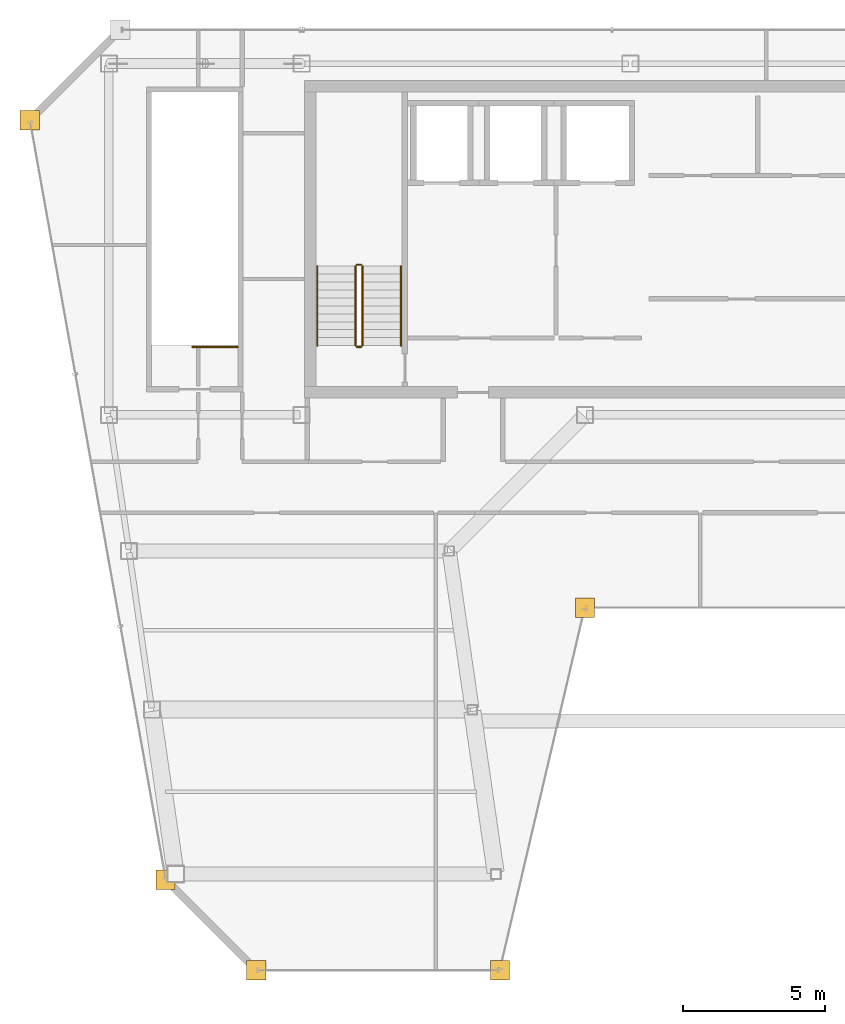
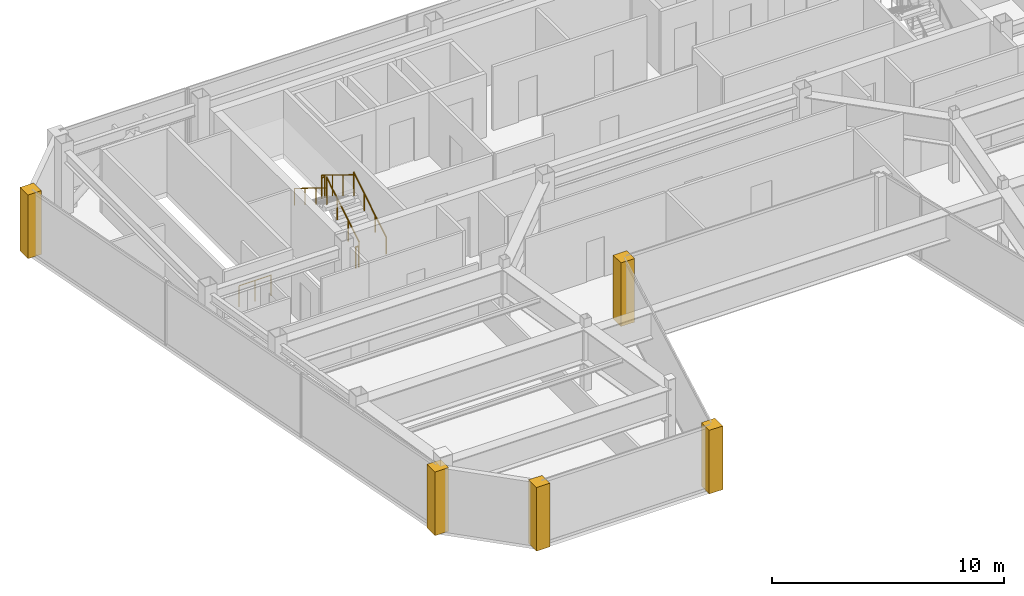
# One storey, part 28 of 30: 7 railings, 5 coverings.
"""IFC4 building model written with IfcOpenShell, lengths in metres."""

from ifc_helpers import new_model, si_unit, direction, frame, origin, origin_2d, place, context, subcontext, project, spatial, polyline, circle, outline, extrude, material, layer, layer_set, type_object, element, save


model = new_model("IFC4")

# Units and contexts
model_context = context("Model", 3, precision=1e-05, world=origin(), true_north=direction((0.0, 1.0)))
body_context = subcontext(model_context, "Body", "Model", "MODEL_VIEW")
ifc_project = project(units=[si_unit("LENGTHUNIT", "METRE"), si_unit("AREAUNIT", "SQUARE_METRE"), si_unit("VOLUMEUNIT", "CUBIC_METRE"), si_unit("PLANEANGLEUNIT", "RADIAN"), si_unit("MASSUNIT", "GRAM", prefix="KILO")], contexts=[model_context])

# Site, building, storey
site_placement = place(None, origin())
site = spatial("IfcSite", under=ifc_project, at=site_placement, CompositionType="ELEMENT")
building_placement = place(site_placement, origin())
building = spatial("IfcBuilding", under=site, at=building_placement, Name="Saevonmaru Cultural Tower", CompositionType="ELEMENT")
storey_placement = place(building_placement, frame((0.0, 0.0, 272.39990234375)))
storey = spatial("IfcBuildingStorey", under=building, at=storey_placement, Name="L64", CompositionType="ELEMENT", Elevation=272.39990234375)

# Coverings
ifc_material_1 = material(Name="Satin Bronze Anodised Aluminium", Category="aluminium")
ifc_layer = layer(ifc_material_1, 0.679931640625, Name="Satin Bronze Anodised Aluminium")
ifc_layer_set = layer_set([ifc_layer], Name="Satin Bronze Anodised Aluminium")
covering_type = type_object("IfcCoveringType", Name="CV-CORNER-CLAD", PredefinedType="CLADDING", material=ifc_layer_set)
covering_1_placement = place(storey_placement, origin())
element("IfcCovering", 1, at=covering_1_placement, inside=storey, type_object=covering_type, Name="L64 Tower Bronze Corner Cladding Pier 1", PredefinedType="CLADDING", context=body_context, shape_type="SweptSolid", body=[
    extrude(outline(polyline([(8.4560546875, 25.659912109375), (9.135986328125, 25.659912109375), (9.135986328125, 26.340087890625), (8.4560546875, 26.340087890625), (8.4560546875, 25.659912109375)])), origin(), (0.0, 0.0, 1.0), 3.35009765625),
])
covering_2_placement = place(storey_placement, origin())
element("IfcCovering", 2, at=covering_2_placement, inside=storey, type_object=covering_type, Name="L64 Tower Bronze Corner Cladding Pier 2", PredefinedType="CLADDING", context=body_context, shape_type="SweptSolid", body=[
    extrude(outline(polyline([(11.656005859375, 22.4599609375), (12.3359375, 22.4599609375), (12.3359375, 23.139892578125), (11.656005859375, 23.139892578125), (11.656005859375, 22.4599609375)])), origin(), (0.0, 0.0, 1.0), 3.35009765625),
])
covering_3_placement = place(storey_placement, origin())
element("IfcCovering", 3, at=covering_3_placement, inside=storey, type_object=covering_type, Name="L64 Tower Bronze Corner Cladding Pier 3", PredefinedType="CLADDING", context=body_context, shape_type="SweptSolid", body=[
    extrude(outline(polyline([(20.256103515625, 22.4599609375), (20.93603515625, 22.4599609375), (20.93603515625, 23.139892578125), (20.256103515625, 23.139892578125), (20.256103515625, 22.4599609375)])), origin(), (0.0, 0.0, 1.0), 3.35009765625),
])
covering_4_placement = place(storey_placement, origin())
element("IfcCovering", 4, at=covering_4_placement, inside=storey, type_object=covering_type, Name="L64 Tower Bronze Corner Cladding Pier 4", PredefinedType="CLADDING", context=body_context, shape_type="SweptSolid", body=[
    extrude(outline(polyline([(23.256103515625, 35.260009765625), (23.93603515625, 35.260009765625), (23.93603515625, 35.93994140625), (23.256103515625, 35.93994140625), (23.256103515625, 35.260009765625)])), origin(), (0.0, 0.0, 1.0), 3.35009765625),
])
covering_5_placement = place(storey_placement, origin())
element("IfcCovering", 5, at=covering_5_placement, inside=storey, type_object=covering_type, Name="L64 Tower Bronze Corner Cladding Pier 12", PredefinedType="CLADDING", context=body_context, shape_type="SweptSolid", body=[
    extrude(outline(polyline([(3.659912109375, 52.4599609375), (4.340087890625, 52.4599609375), (4.340087890625, 53.139892578125), (3.659912109375, 53.139892578125), (3.659912109375, 52.4599609375)])), origin(), (0.0, 0.0, 1.0), 3.35009765625),
])

# Railings
ifc_material_2 = material(Name="Architectural Painted Steel", Category="steel")
railing_type_1 = type_object("IfcRailingType", Name="RL-STAIR-GUARD", PredefinedType="GUARDRAIL", material=ifc_material_2)
railing_1_placement = place(storey_placement, frame((15.75, 44.85009765625, 0.1728515625)))
element("IfcRailing", 6, at=railing_1_placement, inside=storey, type_object=railing_type_1, Name="L64 ST-1 stair guard 1", PredefinedType="GUARDRAIL", context=body_context, shape_type="SweptSolid", body=[
    extrude(circle(Radius=0.02392578125, at=origin_2d()), frame((0.0, 0.0, 1.09619140625), z_axis=(0.0, 0.851069175582, 0.525053576669), x_axis=(-1.0, 0.0, 0.0)), (0.0, 0.0, 1.0), 3.289794921875),
    extrude(circle(Radius=0.02099609375, at=origin_2d()), origin(), (0.0, 0.0, 1.0), 1.072021484375),
    extrude(circle(Radius=0.02099609375, at=origin_2d()), frame((0.0, 0.933349609375, 0.57568359375)), (0.0, 0.0, 1.0), 1.072021484375),
    extrude(circle(Radius=0.02099609375, at=origin_2d()), frame((0.0, 1.866455078125, 1.151611328125)), (0.0, 0.0, 1.0), 1.072021484375),
    extrude(circle(Radius=0.02099609375, at=origin_2d()), frame((0.0, 2.7998046875, 1.727294921875)), (0.0, 0.0, 1.0), 1.072021484375),
])
railing_2_placement = place(storey_placement, frame((15.699951171875, 47.699951171875, 1.900146484375)))
element("IfcRailing", 7, at=railing_2_placement, inside=storey, type_object=railing_type_1, Name="L64 ST-1 stair guard 2", PredefinedType="GUARDRAIL", context=body_context, shape_type="SweptSolid", body=[
    extrude(circle(Radius=0.02392578125, at=origin_2d()), frame((0.0, 0.0, 1.09619140625), z_axis=(-1.0, 0.0, 0.0), x_axis=(0.0, -1.0, 0.0)), (0.0, 0.0, 1.0), 0.14990234375),
    extrude(circle(Radius=0.02099609375, at=origin_2d()), origin(), (0.0, 0.0, 1.0), 1.072021484375),
    extrude(circle(Radius=0.02099609375, at=origin_2d()), frame((-0.14990234375, 0.0, 0.0)), (0.0, 0.0, 1.0), 1.072021484375),
])
railing_3_placement = place(storey_placement, frame((15.5, 47.64990234375, 2.07275390625)))
element("IfcRailing", 8, at=railing_3_placement, inside=storey, type_object=railing_type_1, Name="L64 ST-1 stair guard 3", PredefinedType="GUARDRAIL", context=body_context, shape_type="SweptSolid", body=[
    extrude(circle(Radius=0.02392578125, at=origin_2d()), frame((0.0, 0.0, 1.09619140625), z_axis=(0.0, -0.851069175582, 0.525053576669), x_axis=(1.0, 0.0, 0.0)), (0.0, 0.0, 1.0), 3.289794921875),
    extrude(circle(Radius=0.02099609375, at=origin_2d()), origin(), (0.0, 0.0, 1.0), 1.072021484375),
    extrude(circle(Radius=0.02099609375, at=origin_2d()), frame((0.0, -0.933349609375, 0.57568359375)), (0.0, 0.0, 1.0), 1.072021484375),
    extrude(circle(Radius=0.02099609375, at=origin_2d()), frame((0.0, -1.866455078125, 1.151611328125)), (0.0, 0.0, 1.0), 1.072021484375),
    extrude(circle(Radius=0.02099609375, at=origin_2d()), frame((0.0, -2.7998046875, 1.727294921875)), (0.0, 0.0, 1.0), 1.072021484375),
])
railing_4_placement = place(storey_placement, frame((15.699951171875, 44.800048828125, 0.0)))
element("IfcRailing", 9, at=railing_4_placement, inside=storey, type_object=railing_type_1, Name="L64 ST-1 stair guard 4", PredefinedType="GUARDRAIL", context=body_context, shape_type="SweptSolid", body=[
    extrude(circle(Radius=0.02392578125, at=origin_2d()), frame((0.0, 0.0, 1.09619140625), z_axis=(-1.0, 0.0, 0.0), x_axis=(0.0, -1.0, 0.0)), (0.0, 0.0, 1.0), 0.14990234375),
    extrude(circle(Radius=0.02099609375, at=origin_2d()), origin(), (0.0, 0.0, 1.0), 1.072021484375),
    extrude(circle(Radius=0.02099609375, at=origin_2d()), frame((-0.14990234375, 0.0, 0.0)), (0.0, 0.0, 1.0), 1.072021484375),
])
railing_5_placement = place(storey_placement, frame((11.35009765625, 44.800048828125, 0.0)))
element("IfcRailing", 10, at=railing_5_placement, inside=storey, type_object=railing_type_1, Name="L64 ST-3 top well guard 1", PredefinedType="GUARDRAIL", context=body_context, shape_type="SweptSolid", body=[
    extrude(circle(Radius=0.02392578125, at=origin_2d()), frame((0.0, 0.0, 1.09619140625), z_axis=(-1.0, 0.0, 0.0), x_axis=(0.0, -1.0, 0.0)), (0.0, 0.0, 1.0), 1.60009765625),
    extrude(circle(Radius=0.02099609375, at=origin_2d()), origin(), (0.0, 0.0, 1.0), 1.072021484375),
    extrude(circle(Radius=0.02099609375, at=origin_2d()), frame((-0.800048828125, 0.0, 0.0)), (0.0, 0.0, 1.0), 1.072021484375),
    extrude(circle(Radius=0.02099609375, at=origin_2d()), frame((-1.60009765625, 0.0, 0.0)), (0.0, 0.0, 1.0), 1.072021484375),
])
railing_type_2 = type_object("IfcRailingType", Name="RL-STAIR-HANDRAIL", PredefinedType="HANDRAIL", material=ifc_material_1)
railing_6_placement = place(storey_placement, frame((17.10009765625, 44.85009765625, 0.1728515625)))
element("IfcRailing", 11, at=railing_6_placement, inside=storey, type_object=railing_type_2, Name="L64 ST-1 stair handrail 1", PredefinedType="HANDRAIL", context=body_context, shape_type="SweptSolid", body=[
    extrude(circle(Radius=0.02392578125, at=origin_2d()), frame((0.0, 0.0, 0.8759765625), z_axis=(0.0, 0.851069175582, 0.525053576669), x_axis=(-1.0, 0.0, 0.0)), (0.0, 0.0, 1.0), 3.289794921875),
    extrude(circle(Radius=0.02099609375, at=origin_2d()), origin(), (0.0, 0.0, 1.0), 0.851806640625),
    extrude(circle(Radius=0.02099609375, at=origin_2d()), frame((0.0, 0.933349609375, 0.57568359375)), (0.0, 0.0, 1.0), 0.851806640625),
    extrude(circle(Radius=0.02099609375, at=origin_2d()), frame((0.0, 1.866455078125, 1.151611328125)), (0.0, 0.0, 1.0), 0.851806640625),
    extrude(circle(Radius=0.02099609375, at=origin_2d()), frame((0.0, 2.7998046875, 1.727294921875)), (0.0, 0.0, 1.0), 0.851806640625),
])
railing_7_placement = place(storey_placement, frame((14.14990234375, 47.64990234375, 2.07275390625)))
element("IfcRailing", 12, at=railing_7_placement, inside=storey, type_object=railing_type_2, Name="L64 ST-1 stair handrail 2", PredefinedType="HANDRAIL", context=body_context, shape_type="SweptSolid", body=[
    extrude(circle(Radius=0.02392578125, at=origin_2d()), frame((0.0, 0.0, 0.8759765625), z_axis=(0.0, -0.851069175582, 0.525053576669), x_axis=(1.0, 0.0, 0.0)), (0.0, 0.0, 1.0), 3.289794921875),
    extrude(circle(Radius=0.02099609375, at=origin_2d()), origin(), (0.0, 0.0, 1.0), 0.851806640625),
    extrude(circle(Radius=0.02099609375, at=origin_2d()), frame((0.0, -0.933349609375, 0.57568359375)), (0.0, 0.0, 1.0), 0.851806640625),
    extrude(circle(Radius=0.02099609375, at=origin_2d()), frame((0.0, -1.866455078125, 1.151611328125)), (0.0, 0.0, 1.0), 0.851806640625),
    extrude(circle(Radius=0.02099609375, at=origin_2d()), frame((0.0, -2.7998046875, 1.727294921875)), (0.0, 0.0, 1.0), 0.851806640625),
])

save(model, "model.ifc")
